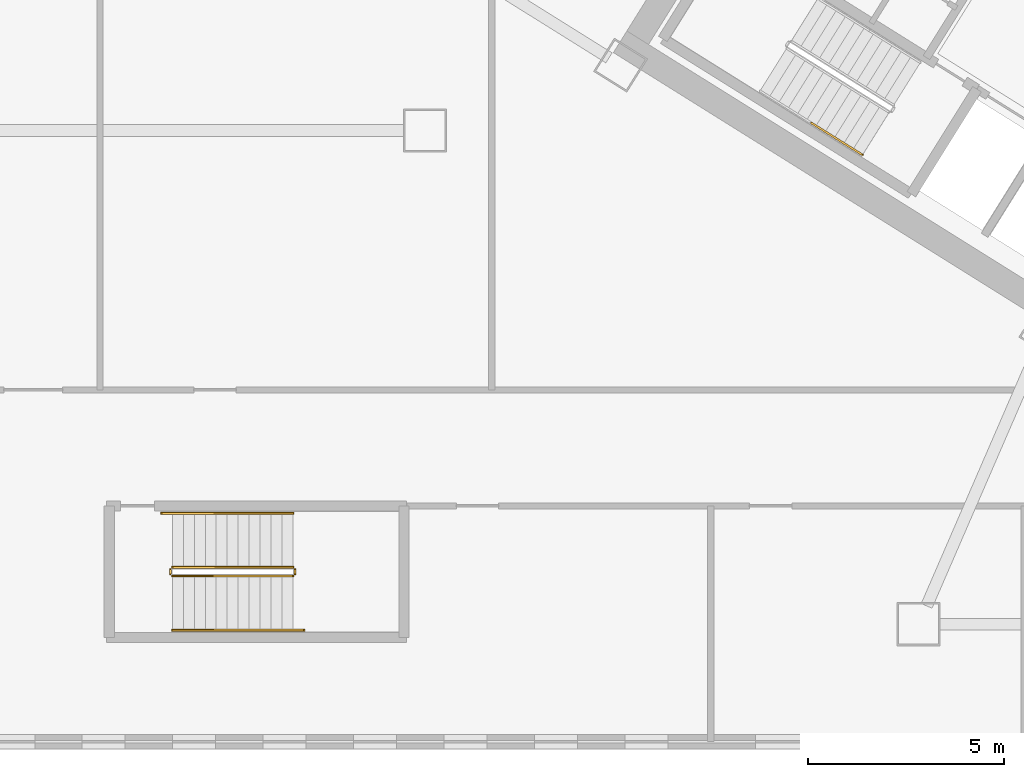
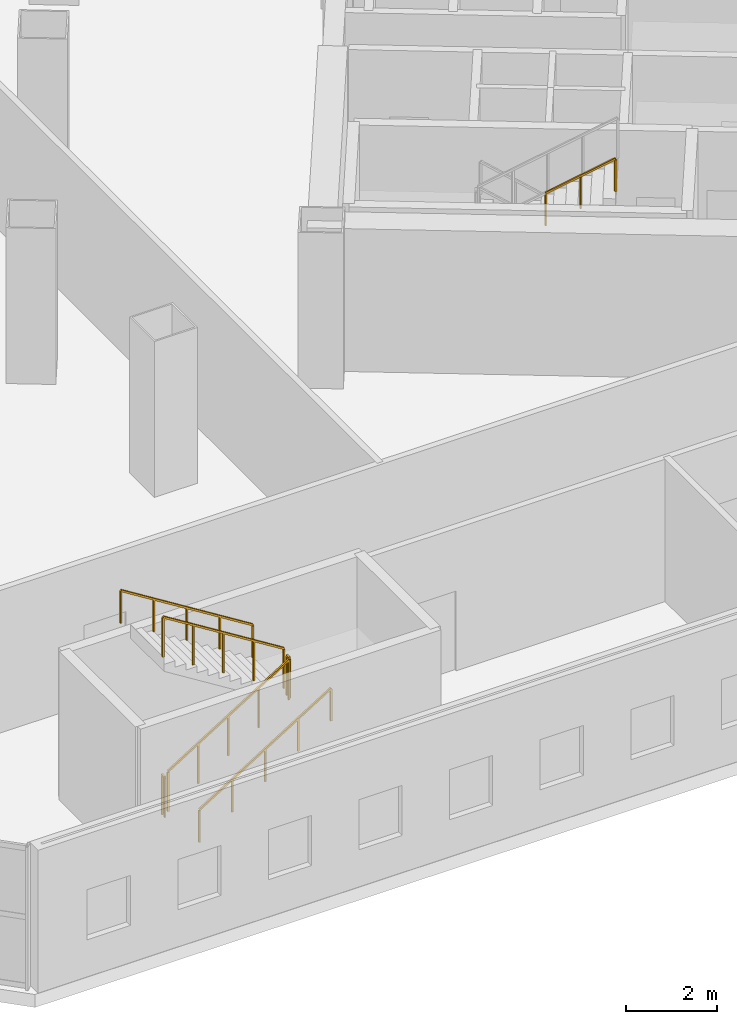
# One storey, part 16 of 22: 7 railings.
"""IFC4 building model written with IfcOpenShell, lengths in metres."""

from ifc_helpers import new_model, si_unit, direction, frame, origin, origin_2d, place, context, subcontext, project, spatial, rectangle, extrude, source, transform, mapped, material, type_object, element, save


model = new_model("IFC4")

# Units and contexts
model_context = context("Model", 3, precision=1e-05, world=origin(), true_north=direction((0.0, 1.0)))
body_context = subcontext(model_context, "Body", "Model", "MODEL_VIEW")
ifc_project = project(units=[si_unit("LENGTHUNIT", "METRE"), si_unit("AREAUNIT", "SQUARE_METRE"), si_unit("VOLUMEUNIT", "CUBIC_METRE"), si_unit("PLANEANGLEUNIT", "RADIAN"), si_unit("MASSUNIT", "GRAM", prefix="KILO")], contexts=[model_context])

# Site, building, storey
site_placement = place(None, origin())
site = spatial("IfcSite", under=ifc_project, at=site_placement, CompositionType="ELEMENT")
building_placement = place(site_placement, origin())
building = spatial("IfcBuilding", under=site, at=building_placement, Name="Tlacorven Tower", CompositionType="ELEMENT")
storey_placement = place(building_placement, frame((0.0, 0.0, 10.199951171875)))
storey = spatial("IfcBuildingStorey", under=building, at=storey_placement, Name="L02", CompositionType="ELEMENT", Elevation=10.199951171875)

# Railings
ifc_material = material(Name="Aluminium and painted steel balustrade", Category="steel")
railing_type_1 = type_object("IfcRailingType", Name="RL-HND-0900", PredefinedType="HANDRAIL", material=ifc_material)
shared_shape_1 = source(origin(), body_context, "Body", "SweptSolid", [
    extrude(rectangle(XDim=0.048095703125, YDim=0.048095703125, at=origin_2d()), frame((0.0, 0.0, 0.8759765625), z_axis=(0.719169077966, -0.449329418314, 0.529998972769), x_axis=(0.529870669602, 0.848078459516, 0.0)), (0.0, 0.0, 1.0), 1.81591796875),
    extrude(rectangle(XDim=0.0419921875, YDim=0.0419921875, at=origin_2d()), origin(), (0.0, 0.0, 1.0), 0.851806640625),
    extrude(rectangle(XDim=0.0419921875, YDim=0.0419921875, at=origin_2d()), frame((0.65283203125, -0.407958984375, 0.481201171875)), (0.0, 0.0, 1.0), 0.851806640625),
    extrude(rectangle(XDim=0.0419921875, YDim=0.0419921875, at=origin_2d()), frame((1.305908203125, -0.81591796875, 0.96240234375)), (0.0, 0.0, 1.0), 0.851806640625),
])
railing_1_placement = place(storey_placement, frame((27.059814453125, 17.395751953125, 3.237548828125)))
element("IfcRailing", 1, at=railing_1_placement, inside=storey, type_object=railing_type_1, Name="L02 ST-W1 stair handrail 4", PredefinedType="HANDRAIL", context=body_context, shape_type="MappedRepresentation", body=[
    mapped(shared_shape_1, transform((0.0, 0.0, 0.0), scale=1.0)),
])
railing_type_2 = type_object("IfcRailingType", Name="RL-GRD-1100", PredefinedType="GUARDRAIL", material=ifc_material)
shared_shape_2 = source(origin(), body_context, "Body", "SweptSolid", [
    extrude(rectangle(XDim=0.048095703125, YDim=0.048095703125, at=origin_2d()), frame((0.0, 0.0, 1.076171875), z_axis=(0.0, 1.0, 0.0), x_axis=(-1.0, 0.0, 0.0)), (0.0, 0.0, 1.0), 0.1201171875),
    extrude(rectangle(XDim=0.0419921875, YDim=0.0419921875, at=origin_2d()), origin(), (0.0, 0.0, 1.0), 1.052001953125),
    extrude(rectangle(XDim=0.0419921875, YDim=0.0419921875, at=origin_2d()), frame((0.0, 0.1201171875, 0.0)), (0.0, 0.0, 1.0), 1.052001953125),
])
for number, where, name in (
    (2, (13.8798828125, 5.8798828125, 2.10009765625), "L02 ST-P1 stair guard 2"),
    (3, (10.699951171875, 5.8798828125, 0.0), "L02 ST-P1 stair guard 4"),
):
    element("IfcRailing", number, at=place(storey_placement, frame(where)), inside=storey, type_object=railing_type_2, Name=name, PredefinedType="GUARDRAIL", context=body_context, shape_type="MappedRepresentation", body=[
        mapped(shared_shape_2, transform((0.0, 0.0, 0.0), scale=1.0)),
    ])
shared_shape_3 = source(origin(), body_context, "Body", "SweptSolid", [
    extrude(rectangle(XDim=0.048095703125, YDim=0.048095703125, at=origin_2d()), frame((0.0, 0.0, 1.076171875), z_axis=(0.847998304005, 0.0, 0.529998940003), x_axis=(0.0, 1.0, 0.0)), (0.0, 0.0, 1.0), 3.632080078125),
    extrude(rectangle(XDim=0.0419921875, YDim=0.0419921875, at=origin_2d()), origin(), (0.0, 0.0, 1.0), 1.052001953125),
    extrude(rectangle(XDim=0.0419921875, YDim=0.0419921875, at=origin_2d()), frame((0.77001953125, 0.0, 0.481201171875)), (0.0, 0.0, 1.0), 1.052001953125),
    extrude(rectangle(XDim=0.0419921875, YDim=0.0419921875, at=origin_2d()), frame((1.5400390625, 0.0, 0.96240234375)), (0.0, 0.0, 1.0), 1.052001953125),
    extrude(rectangle(XDim=0.0419921875, YDim=0.0419921875, at=origin_2d()), frame((2.31005859375, 0.0, 1.44384765625)), (0.0, 0.0, 1.0), 1.052001953125),
    extrude(rectangle(XDim=0.0419921875, YDim=0.0419921875, at=origin_2d()), frame((3.080078125, 0.0, 1.925048828125)), (0.0, 0.0, 1.0), 1.052001953125),
])
railing_2_placement = place(storey_placement, frame((10.75, 5.830078125, 0.175048828125)))
element("IfcRailing", 4, at=railing_2_placement, inside=storey, type_object=railing_type_2, Name="L02 ST-P1 stair guard 1", PredefinedType="GUARDRAIL", context=body_context, shape_type="MappedRepresentation", body=[
    mapped(shared_shape_3, transform((0.0, 0.0, 0.0), scale=1.0)),
])
shared_shape_4 = source(origin(), body_context, "Body", "SweptSolid", [
    extrude(rectangle(XDim=0.048095703125, YDim=0.048095703125, at=origin_2d()), frame((0.0, 0.0, 1.076171875), z_axis=(-0.848028513186, 0.0, 0.529950602248), x_axis=(0.0, -1.0, 0.0)), (0.0, 0.0, 1.0), 3.632080078125),
    extrude(rectangle(XDim=0.0419921875, YDim=0.0419921875, at=origin_2d()), origin(), (0.0, 0.0, 1.0), 1.052001953125),
    extrude(rectangle(XDim=0.0419921875, YDim=0.0419921875, at=origin_2d()), frame((-0.77001953125, 0.0, 0.481201171875)), (0.0, 0.0, 1.0), 1.052001953125),
    extrude(rectangle(XDim=0.0419921875, YDim=0.0419921875, at=origin_2d()), frame((-1.5400390625, 0.0, 0.96240234375)), (0.0, 0.0, 1.0), 1.052001953125),
    extrude(rectangle(XDim=0.0419921875, YDim=0.0419921875, at=origin_2d()), frame((-2.31005859375, 0.0, 1.443603515625)), (0.0, 0.0, 1.0), 1.052001953125),
    extrude(rectangle(XDim=0.0419921875, YDim=0.0419921875, at=origin_2d()), frame((-3.080078125, 0.0, 1.9248046875)), (0.0, 0.0, 1.0), 1.052001953125),
])
railing_3_placement = place(storey_placement, frame((13.830078125, 6.050048828125, 2.275146484375)))
element("IfcRailing", 5, at=railing_3_placement, inside=storey, type_object=railing_type_2, Name="L02 ST-P1 stair guard 3", PredefinedType="GUARDRAIL", context=body_context, shape_type="MappedRepresentation", body=[
    mapped(shared_shape_4, transform((0.0, 0.0, 0.0), scale=1.0)),
])
shared_shape_5 = source(origin(), body_context, "Body", "SweptSolid", [
    extrude(rectangle(XDim=0.048095703125, YDim=0.048095703125, at=origin_2d()), frame((0.0, 0.0, 0.8759765625), z_axis=(0.847994842521, 0.0, 0.530004478338), x_axis=(0.0, 1.0, 0.0)), (0.0, 0.0, 1.0), 3.96240234375),
    extrude(rectangle(XDim=0.0419921875, YDim=0.0419921875, at=origin_2d()), origin(), (0.0, 0.0, 1.0), 0.851806640625),
    extrude(rectangle(XDim=0.0419921875, YDim=0.0419921875, at=origin_2d()), frame((0.840087890625, 0.0, 0.52490234375)), (0.0, 0.0, 1.0), 0.851806640625),
    extrude(rectangle(XDim=0.0419921875, YDim=0.0419921875, at=origin_2d()), frame((1.68017578125, 0.0, 1.050048828125)), (0.0, 0.0, 1.0), 0.851806640625),
    extrude(rectangle(XDim=0.0419921875, YDim=0.0419921875, at=origin_2d()), frame((2.52001953125, 0.0, 1.5751953125)), (0.0, 0.0, 1.0), 0.851806640625),
    extrude(rectangle(XDim=0.0419921875, YDim=0.0419921875, at=origin_2d()), frame((3.360107421875, 0.0, 2.10009765625)), (0.0, 0.0, 1.0), 0.851806640625),
])
railing_4_placement = place(storey_placement, frame((10.75, 4.449951171875, 0.175048828125)))
element("IfcRailing", 6, at=railing_4_placement, inside=storey, type_object=railing_type_1, Name="L02 ST-P1 stair handrail 1", PredefinedType="HANDRAIL", context=body_context, shape_type="MappedRepresentation", body=[
    mapped(shared_shape_5, transform((0.0, 0.0, 0.0), scale=1.0)),
])
shared_shape_6 = source(origin(), body_context, "Body", "SweptSolid", [
    extrude(rectangle(XDim=0.048095703125, YDim=0.048095703125, at=origin_2d()), frame((0.0, 0.0, 0.8759765625), z_axis=(-0.848022534174, 0.0, 0.529960169762), x_axis=(0.0, -1.0, 0.0)), (0.0, 0.0, 1.0), 3.96240234375),
    extrude(rectangle(XDim=0.0419921875, YDim=0.0419921875, at=origin_2d()), origin(), (0.0, 0.0, 1.0), 0.851806640625),
    extrude(rectangle(XDim=0.0419921875, YDim=0.0419921875, at=origin_2d()), frame((-0.840087890625, 0.0, 0.52490234375)), (0.0, 0.0, 1.0), 0.851806640625),
    extrude(rectangle(XDim=0.0419921875, YDim=0.0419921875, at=origin_2d()), frame((-1.68017578125, 0.0, 1.0498046875)), (0.0, 0.0, 1.0), 0.851806640625),
    extrude(rectangle(XDim=0.0419921875, YDim=0.0419921875, at=origin_2d()), frame((-2.52001953125, 0.0, 1.574951171875)), (0.0, 0.0, 1.0), 0.851806640625),
    extrude(rectangle(XDim=0.0419921875, YDim=0.0419921875, at=origin_2d()), frame((-3.360107421875, 0.0, 2.099853515625)), (0.0, 0.0, 1.0), 0.851806640625),
])
railing_5_placement = place(storey_placement, frame((13.830078125, 7.429931640625, 2.275146484375)))
element("IfcRailing", 7, at=railing_5_placement, inside=storey, type_object=railing_type_1, Name="L02 ST-P1 stair handrail 2", PredefinedType="HANDRAIL", context=body_context, shape_type="MappedRepresentation", body=[
    mapped(shared_shape_6, transform((0.0, 0.0, 0.0), scale=1.0)),
])

save(model, "model.ifc")
